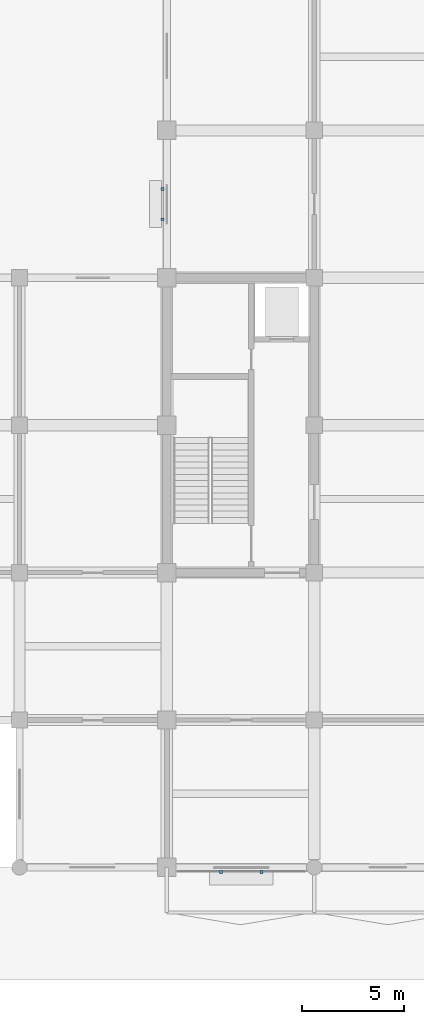
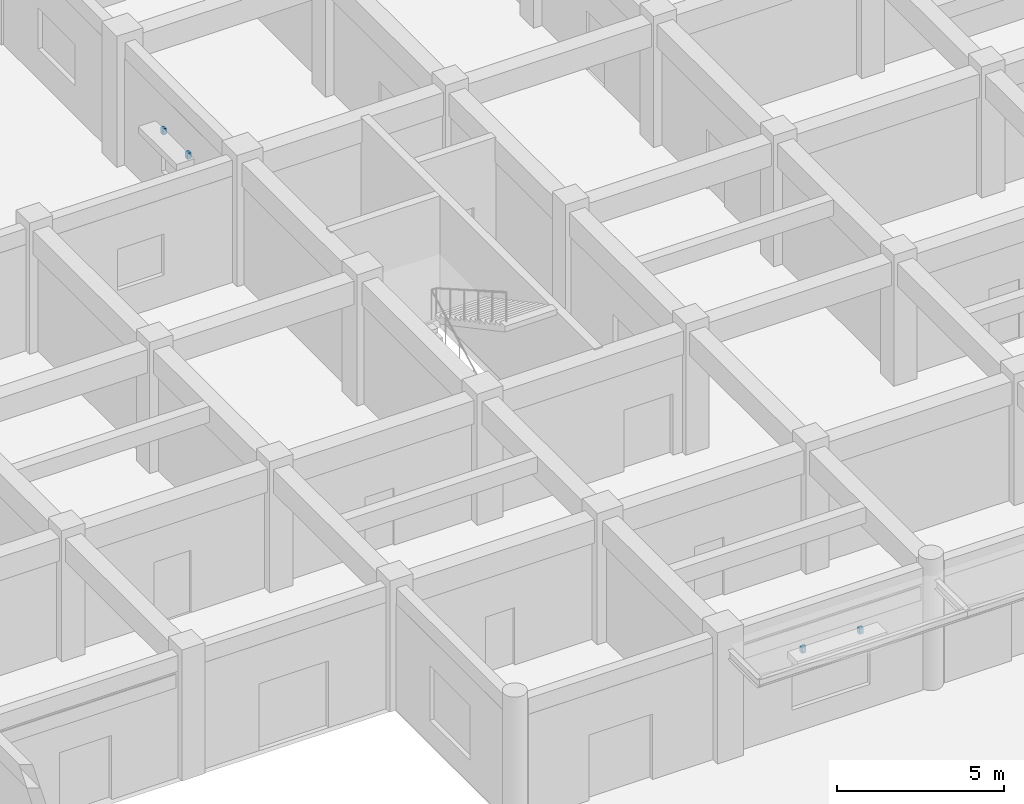
# One storey, part 25 of 37: 4 discrete accessories.
"""IFC4 building model written with IfcOpenShell, lengths in metres."""

from ifc_helpers import new_model, si_unit, direction, frame, origin, origin_2d, place, context, subcontext, project, spatial, rectangle, extrude, material, type_object, element, save


model = new_model("IFC4")

# Units and contexts
model_context = context("Model", 3, precision=1e-05, world=origin(), true_north=direction((0.0, 1.0)))
body_context = subcontext(model_context, "Body", "Model", "MODEL_VIEW")
ifc_project = project(units=[si_unit("LENGTHUNIT", "METRE"), si_unit("AREAUNIT", "SQUARE_METRE"), si_unit("VOLUMEUNIT", "CUBIC_METRE"), si_unit("PLANEANGLEUNIT", "RADIAN"), si_unit("MASSUNIT", "GRAM", prefix="KILO")], contexts=[model_context])

# Site, building, storey
site_placement = place(None, origin())
site = spatial("IfcSite", under=ifc_project, at=site_placement, CompositionType="ELEMENT")
building_placement = place(site_placement, origin())
building = spatial("IfcBuilding", under=site, at=building_placement, Name="Cendaluz Park School", CompositionType="ELEMENT")
storey_placement = place(building_placement, origin())
storey = spatial("IfcBuildingStorey", under=building, at=storey_placement, Name="L00", CompositionType="ELEMENT", Elevation=0.0)

# Discrete accessories
ifc_material = material(Name="Steel S355", Category="steel")
discrete_accessory_type = type_object("IfcDiscreteAccessoryType", Name="BK-01", PredefinedType="BRACKET", material=ifc_material)
for number, where, z_axis, x_axis, name in (
    (1, (67.445556640625, -0.219970703125, 2.8798828125), (0.0, 0.0, 1.0), (1.0, 0.0, 0.0), "BK-L00-031"),
    (2, (69.429443359375, -0.219970703125, 2.8798828125), (0.0, 0.0, 1.0), (1.0, 0.0, 0.0), "BK-L00-032"),
    (3, (64.580078125, 31.6640625, 2.6298828125), (0.0, 0.0, 1.0), (0.0, 1.0, 0.0), "BK-L00-033"),
    (4, (64.580078125, 33.135986328125, 2.6298828125), (0.0, 0.0, 1.0), (0.0, 1.0, 0.0), "BK-L00-034"),
):
    element("IfcDiscreteAccessory", number, at=place(storey_placement, frame(where, z_axis=z_axis, x_axis=x_axis)), inside=storey, type_object=discrete_accessory_type, Name=name, PredefinedType="BRACKET", context=body_context, shape_type="SweptSolid", body=[
        extrude(rectangle(XDim=0.139892578125, YDim=0.139892578125, at=origin_2d()), origin(), (0.0, 0.0, 1.0), 0.219970703125),
    ])

save(model, "model.ifc")
